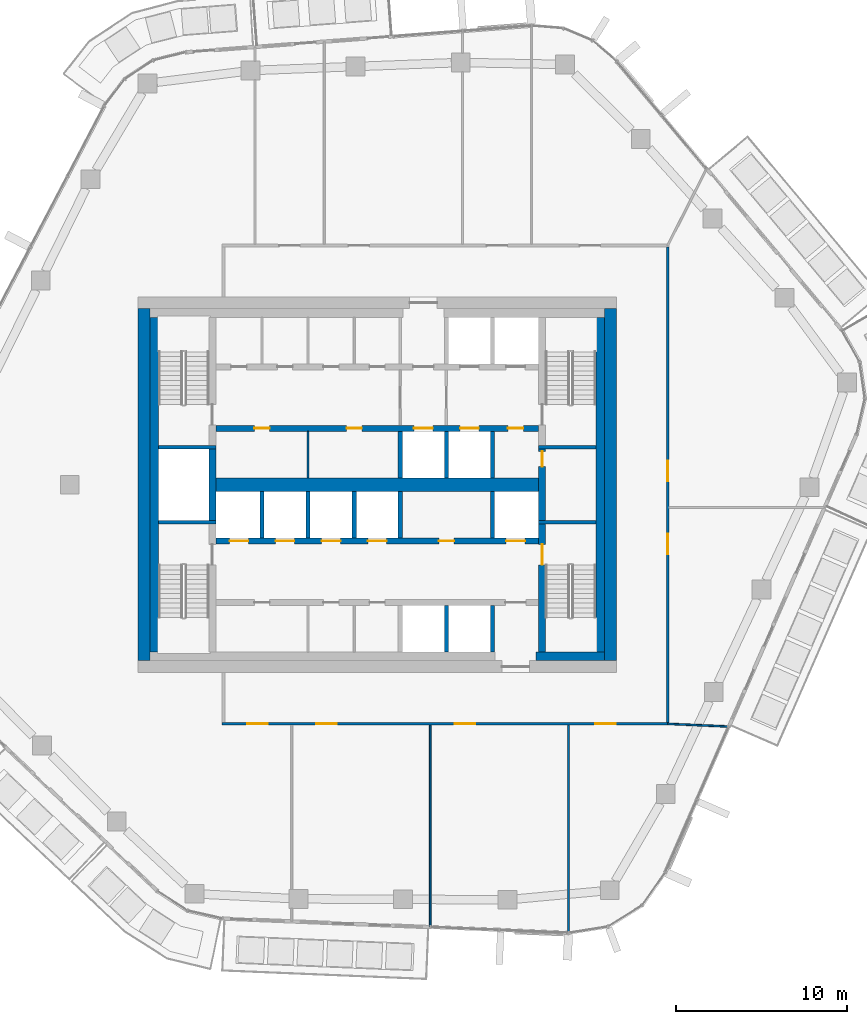
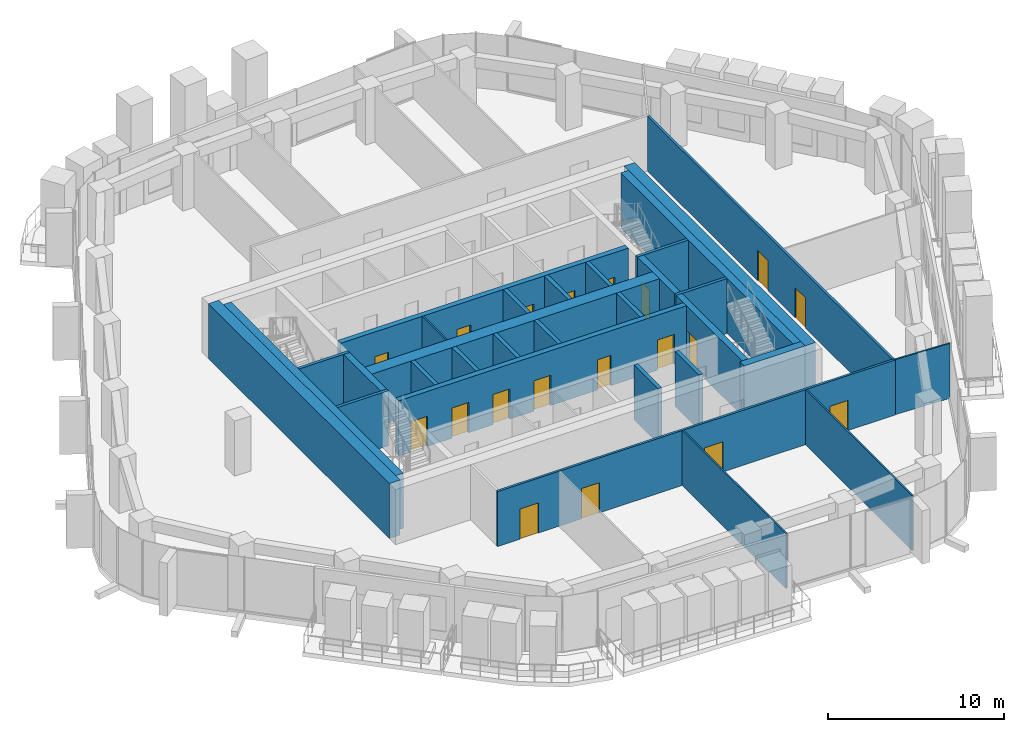
# One storey, part 11 of 20: 31 walls, 19 doors, 19 openings.
"""IFC4 building model written with IfcOpenShell, lengths in metres."""

from ifc_helpers import new_model, si_unit, direction, frame, frame_2d, origin, place, context, subcontext, project, spatial, rectangle, extrude, material, layer, layer_set, type_object, element, fill, save


model = new_model("IFC4")

# Units and contexts
model_context = context("Model", 3, precision=1e-05, world=origin(), true_north=direction((0.0, 1.0)))
body_context = subcontext(model_context, "Body", "Model", "MODEL_VIEW")
ifc_project = project(units=[si_unit("LENGTHUNIT", "METRE"), si_unit("AREAUNIT", "SQUARE_METRE"), si_unit("VOLUMEUNIT", "CUBIC_METRE"), si_unit("PLANEANGLEUNIT", "RADIAN"), si_unit("MASSUNIT", "GRAM", prefix="KILO")], contexts=[model_context])

# Site, building, storey
site_placement = place(None, origin())
site = spatial("IfcSite", under=ifc_project, at=site_placement, CompositionType="ELEMENT")
building_placement = place(site_placement, origin())
building = spatial("IfcBuilding", under=site, at=building_placement, Name="Dongbaek Canopy Tower", CompositionType="ELEMENT")
storey_placement = place(building_placement, frame((0.0, 0.0, 249.60009765625)))
storey = spatial("IfcBuildingStorey", under=building, at=storey_placement, Name="L52", CompositionType="ELEMENT", Elevation=249.60009765625)

# Wall
ifc_material_1 = material(Name="Concrete C60/75", Category="concrete")
ifc_layer_1 = layer(ifc_material_1, 0.800048828125)
ifc_layer_set_1 = layer_set([ifc_layer_1], Name="Core central wall 800 Concrete C60/75")
wall_type_1 = type_object("IfcWallType", Name="Core central wall 800 Concrete C60/75", PredefinedType="SHEAR", material=ifc_layer_set_1)
wall_1_placement = place(storey_placement, frame((-9.449951171875, 0.0, 0.0), z_axis=(0.0, 0.0, 1.0), x_axis=(1.0, 0.0, 0.0)))
element("IfcWall", 1, at=wall_1_placement, inside=storey, type_object=wall_type_1, Name="Core wall", PredefinedType="SHEAR", context=body_context, shape_type="SweptSolid", body=[
    extrude(rectangle(XDim=18.89990234375, YDim=0.800048828125, at=frame_2d((9.449951171875, 0.0))), origin(), (0.0, 0.0, 1.0), 3.81982421875),
])

# Wall, openings, doors
ifc_material_2 = material(Name="Concrete C60/75", Category="concrete")
ifc_layer_2 = layer(ifc_material_2, 0.35009765625)
ifc_layer_set_2 = layer_set([ifc_layer_2], Name="Core lobby wall 350 Concrete C60/75")
wall_type_2 = type_object("IfcWallType", Name="Core lobby wall 350 Concrete C60/75", PredefinedType="SHEAR", material=ifc_layer_set_2)
wall_2_placement = place(storey_placement, frame((9.449951171875, 3.300048828125, 0.0), z_axis=(0.0, 0.0, 1.0), x_axis=(-1.0, 0.0, 0.0)))
wall_2 = element("IfcWall", 2, at=wall_2_placement, inside=storey, type_object=wall_type_2, Name="Core wall", PredefinedType="SHEAR", context=body_context, shape_type="SweptSolid", body=[
    extrude(rectangle(XDim=18.89990234375, YDim=0.35009765625, at=frame_2d((9.449951171875, 0.0))), origin(), (0.0, 0.0, 1.0), 3.81982421875),
])
opening_1_placement = place(wall_2_placement, frame((6.199951171875, 0.0, 0.0)))
opening_1 = element("IfcOpeningElement", 3, at=opening_1_placement, cuts=wall_2, Name="Opening L52-D016", PredefinedType="OPENING", context=body_context, shape_type="SweptSolid", body=[
    extrude(rectangle(XDim=1.10009765625, YDim=2.10009765625, at=frame_2d((0.550048828125, 1.050048828125))), frame((0.0, 0.18505859375, 0.0), z_axis=(0.0, -1.0, 0.0), x_axis=(1.0, 0.0, 0.0)), (0.0, 0.0, 1.0), 0.3701171875),
])
opening_2_placement = place(wall_2_placement, frame((3.5, 0.0, 0.0)))
opening_2 = element("IfcOpeningElement", 4, at=opening_2_placement, cuts=wall_2, Name="Opening L52-D017", PredefinedType="OPENING", context=body_context, shape_type="SweptSolid", body=[
    extrude(rectangle(XDim=1.10009765625, YDim=2.10009765625, at=frame_2d((0.550048828125, 1.050048828125))), frame((0.0, 0.18505859375, 0.0), z_axis=(0.0, -1.0, 0.0), x_axis=(1.0, 0.0, 0.0)), (0.0, 0.0, 1.0), 0.3701171875),
])
opening_3_placement = place(wall_2_placement, frame((0.89990234375, 0.0, 0.0)))
opening_3 = element("IfcOpeningElement", 5, at=opening_3_placement, cuts=wall_2, Name="Opening L52-D018", PredefinedType="OPENING", context=body_context, shape_type="SweptSolid", body=[
    extrude(rectangle(XDim=0.89990234375, YDim=2.10009765625, at=frame_2d((0.449951171875, 1.050048828125))), frame((0.0, 0.18505859375, 0.0), z_axis=(0.0, -1.0, 0.0), x_axis=(1.0, 0.0, 0.0)), (0.0, 0.0, 1.0), 0.3701171875),
])
opening_4_placement = place(wall_2_placement, frame((15.75, 0.0, 0.0)))
opening_4 = element("IfcOpeningElement", 6, at=opening_4_placement, cuts=wall_2, Name="Opening L52-D030", PredefinedType="OPENING", context=body_context, shape_type="SweptSolid", body=[
    extrude(rectangle(XDim=0.89990234375, YDim=2.10009765625, at=frame_2d((0.449951171875, 1.050048828125))), frame((0.0, 0.18505859375, 0.0), z_axis=(0.0, -1.0, 0.0), x_axis=(1.0, 0.0, 0.0)), (0.0, 0.0, 1.0), 0.3701171875),
])
opening_5_placement = place(wall_2_placement, frame((10.35009765625, 0.0, 0.0)))
opening_5 = element("IfcOpeningElement", 7, at=opening_5_placement, cuts=wall_2, Name="Opening L52-D031", PredefinedType="OPENING", context=body_context, shape_type="SweptSolid", body=[
    extrude(rectangle(XDim=0.89990234375, YDim=2.10009765625, at=frame_2d((0.449951171875, 1.050048828125))), frame((0.0, 0.18505859375, 0.0), z_axis=(0.0, -1.0, 0.0), x_axis=(1.0, 0.0, 0.0)), (0.0, 0.0, 1.0), 0.3701171875),
])
ifc_material_3 = material(Name="Steel", Category="steel")
door_type_1 = type_object("IfcDoorType", Name="Core room door 900 x 2100", OperationType="SINGLE_SWING_LEFT", PredefinedType="DOOR", material=ifc_material_3)
door_1_placement = place(opening_3_placement, origin())
door_1 = element("IfcDoor", 8, at=door_1_placement, inside=storey, type_object=door_type_1, Name="Door L52-D018", OperationType="SINGLE_SWING_LEFT", OverallHeight=2.10009765625, OverallWidth=0.89990234375, PredefinedType="DOOR", context=body_context, shape_type="SweptSolid", body=[
    extrude(rectangle(XDim=0.89990234375, YDim=2.10009765625, at=frame_2d((0.449951171875, 1.050048828125))), frame((0.0, 0.02490234375, 0.0), z_axis=(0.0, -1.0, 0.0), x_axis=(1.0, 0.0, 0.0)), (0.0, 0.0, 1.0), 0.050048828125),
])
fill(opening_3, door_1)
door_2_placement = place(opening_4_placement, origin())
door_2 = element("IfcDoor", 9, at=door_2_placement, inside=storey, type_object=door_type_1, Name="Door L52-D030", OperationType="SINGLE_SWING_RIGHT", OverallHeight=2.10009765625, OverallWidth=0.89990234375, PredefinedType="DOOR", context=body_context, shape_type="SweptSolid", body=[
    extrude(rectangle(XDim=0.89990234375, YDim=2.10009765625, at=frame_2d((0.449951171875, 1.050048828125))), frame((0.0, 0.02490234375, 0.0), z_axis=(0.0, -1.0, 0.0), x_axis=(1.0, 0.0, 0.0)), (0.0, 0.0, 1.0), 0.050048828125),
])
fill(opening_4, door_2)
door_3_placement = place(opening_5_placement, origin())
door_3 = element("IfcDoor", 10, at=door_3_placement, inside=storey, type_object=door_type_1, Name="Door L52-D031", OperationType="SINGLE_SWING_LEFT", OverallHeight=2.10009765625, OverallWidth=0.89990234375, PredefinedType="DOOR", context=body_context, shape_type="SweptSolid", body=[
    extrude(rectangle(XDim=0.89990234375, YDim=2.10009765625, at=frame_2d((0.449951171875, 1.050048828125))), frame((0.0, 0.02490234375, 0.0), z_axis=(0.0, -1.0, 0.0), x_axis=(1.0, 0.0, 0.0)), (0.0, 0.0, 1.0), 0.050048828125),
])
fill(opening_5, door_3)
ifc_material_4 = material(Name="Stainless steel", Category="steel")
door_type_2 = type_object("IfcDoorType", Name="Lift landing door 1100 x 2100", OperationType="DOUBLE_DOOR_SLIDING", PredefinedType="DOOR", material=ifc_material_4)
door_4_placement = place(opening_1_placement, origin())
door_4 = element("IfcDoor", 11, at=door_4_placement, inside=storey, type_object=door_type_2, Name="Landing door SV1", OperationType="DOUBLE_DOOR_SLIDING", OverallHeight=2.10009765625, OverallWidth=1.10009765625, PredefinedType="DOOR", context=body_context, shape_type="SweptSolid", body=[
    extrude(rectangle(XDim=1.10009765625, YDim=2.10009765625, at=frame_2d((0.550048828125, 1.050048828125))), frame((0.0, 0.02490234375, 0.0), z_axis=(0.0, -1.0, 0.0), x_axis=(1.0, 0.0, 0.0)), (0.0, 0.0, 1.0), 0.050048828125),
])
fill(opening_1, door_4)
door_5_placement = place(opening_2_placement, origin())
door_5 = element("IfcDoor", 12, at=door_5_placement, inside=storey, type_object=door_type_2, Name="Landing door FF3", OperationType="DOUBLE_DOOR_SLIDING", OverallHeight=2.10009765625, OverallWidth=1.10009765625, PredefinedType="DOOR", context=body_context, shape_type="SweptSolid", body=[
    extrude(rectangle(XDim=1.10009765625, YDim=2.10009765625, at=frame_2d((0.550048828125, 1.050048828125))), frame((0.0, 0.02490234375, 0.0), z_axis=(0.0, -1.0, 0.0), x_axis=(1.0, 0.0, 0.0)), (0.0, 0.0, 1.0), 0.050048828125),
])
fill(opening_2, door_5)

wall_3_placement = place(storey_placement, frame((-9.449951171875, -3.300048828125, 0.0), z_axis=(0.0, 0.0, 1.0), x_axis=(1.0, 0.0, 0.0)))
wall_3 = element("IfcWall", 13, at=wall_3_placement, inside=storey, type_object=wall_type_2, Name="Core wall", PredefinedType="SHEAR", context=body_context, shape_type="SweptSolid", body=[
    extrude(rectangle(XDim=18.89990234375, YDim=0.35009765625, at=frame_2d((9.449951171875, 0.0))), origin(), (0.0, 0.0, 1.0), 3.81982421875),
])
opening_6_placement = place(wall_3_placement, frame((0.800048828125, 0.0, 0.0)))
opening_6 = element("IfcOpeningElement", 14, at=opening_6_placement, cuts=wall_3, Name="Opening L52-D019", PredefinedType="OPENING", context=body_context, shape_type="SweptSolid", body=[
    extrude(rectangle(XDim=1.10009765625, YDim=2.10009765625, at=frame_2d((0.550048828125, 1.050048828125))), frame((0.0, 0.18505859375, 0.0), z_axis=(0.0, -1.0, 0.0), x_axis=(1.0, 0.0, 0.0)), (0.0, 0.0, 1.0), 0.3701171875),
])
opening_7_placement = place(wall_3_placement, frame((3.5, 0.0, 0.0)))
opening_7 = element("IfcOpeningElement", 15, at=opening_7_placement, cuts=wall_3, Name="Opening L52-D020", PredefinedType="OPENING", context=body_context, shape_type="SweptSolid", body=[
    extrude(rectangle(XDim=1.10009765625, YDim=2.10009765625, at=frame_2d((0.550048828125, 1.050048828125))), frame((0.0, 0.18505859375, 0.0), z_axis=(0.0, -1.0, 0.0), x_axis=(1.0, 0.0, 0.0)), (0.0, 0.0, 1.0), 0.3701171875),
])
opening_8_placement = place(wall_3_placement, frame((6.199951171875, 0.0, 0.0)))
opening_8 = element("IfcOpeningElement", 16, at=opening_8_placement, cuts=wall_3, Name="Opening L52-D021", PredefinedType="OPENING", context=body_context, shape_type="SweptSolid", body=[
    extrude(rectangle(XDim=1.10009765625, YDim=2.10009765625, at=frame_2d((0.550048828125, 1.050048828125))), frame((0.0, 0.18505859375, 0.0), z_axis=(0.0, -1.0, 0.0), x_axis=(1.0, 0.0, 0.0)), (0.0, 0.0, 1.0), 0.3701171875),
])
opening_9_placement = place(wall_3_placement, frame((8.89990234375, 0.0, 0.0)))
opening_9 = element("IfcOpeningElement", 17, at=opening_9_placement, cuts=wall_3, Name="Opening L52-D022", PredefinedType="OPENING", context=body_context, shape_type="SweptSolid", body=[
    extrude(rectangle(XDim=1.10009765625, YDim=2.10009765625, at=frame_2d((0.550048828125, 1.050048828125))), frame((0.0, 0.18505859375, 0.0), z_axis=(0.0, -1.0, 0.0), x_axis=(1.0, 0.0, 0.0)), (0.0, 0.0, 1.0), 0.3701171875),
])
opening_10_placement = place(wall_3_placement, frame((17.0, 0.0, 0.0)))
opening_10 = element("IfcOpeningElement", 18, at=opening_10_placement, cuts=wall_3, Name="Opening L52-D023", PredefinedType="OPENING", context=body_context, shape_type="SweptSolid", body=[
    extrude(rectangle(XDim=1.10009765625, YDim=2.10009765625, at=frame_2d((0.550048828125, 1.050048828125))), frame((0.0, 0.18505859375, 0.0), z_axis=(0.0, -1.0, 0.0), x_axis=(1.0, 0.0, 0.0)), (0.0, 0.0, 1.0), 0.3701171875),
])
opening_11_placement = place(wall_3_placement, frame((13.050048828125, 0.0, 0.0)))
opening_11 = element("IfcOpeningElement", 19, at=opening_11_placement, cuts=wall_3, Name="Opening L52-D032", PredefinedType="OPENING", context=body_context, shape_type="SweptSolid", body=[
    extrude(rectangle(XDim=0.89990234375, YDim=2.10009765625, at=frame_2d((0.449951171875, 1.050048828125))), frame((0.0, 0.18505859375, 0.0), z_axis=(0.0, -1.0, 0.0), x_axis=(1.0, 0.0, 0.0)), (0.0, 0.0, 1.0), 0.3701171875),
])
door_6_placement = place(opening_11_placement, origin())
door_6 = element("IfcDoor", 20, at=door_6_placement, inside=storey, type_object=door_type_1, Name="Door L52-D032", OperationType="SINGLE_SWING_RIGHT", OverallHeight=2.10009765625, OverallWidth=0.89990234375, PredefinedType="DOOR", context=body_context, shape_type="SweptSolid", body=[
    extrude(rectangle(XDim=0.89990234375, YDim=2.10009765625, at=frame_2d((0.449951171875, 1.050048828125))), frame((0.0, 0.02490234375, 0.0), z_axis=(0.0, -1.0, 0.0), x_axis=(1.0, 0.0, 0.0)), (0.0, 0.0, 1.0), 0.050048828125),
])
fill(opening_11, door_6)
door_7_placement = place(opening_6_placement, origin())
door_7 = element("IfcDoor", 21, at=door_7_placement, inside=storey, type_object=door_type_2, Name="Landing door MR1", OperationType="DOUBLE_DOOR_SLIDING", OverallHeight=2.10009765625, OverallWidth=1.10009765625, PredefinedType="DOOR", context=body_context, shape_type="SweptSolid", body=[
    extrude(rectangle(XDim=1.10009765625, YDim=2.10009765625, at=frame_2d((0.550048828125, 1.050048828125))), frame((0.0, 0.02490234375, 0.0), z_axis=(0.0, -1.0, 0.0), x_axis=(1.0, 0.0, 0.0)), (0.0, 0.0, 1.0), 0.050048828125),
])
fill(opening_6, door_7)
door_8_placement = place(opening_7_placement, origin())
door_8 = element("IfcDoor", 22, at=door_8_placement, inside=storey, type_object=door_type_2, Name="Landing door MR2", OperationType="DOUBLE_DOOR_SLIDING", OverallHeight=2.10009765625, OverallWidth=1.10009765625, PredefinedType="DOOR", context=body_context, shape_type="SweptSolid", body=[
    extrude(rectangle(XDim=1.10009765625, YDim=2.10009765625, at=frame_2d((0.550048828125, 1.050048828125))), frame((0.0, 0.02490234375, 0.0), z_axis=(0.0, -1.0, 0.0), x_axis=(1.0, 0.0, 0.0)), (0.0, 0.0, 1.0), 0.050048828125),
])
fill(opening_7, door_8)
door_9_placement = place(opening_8_placement, origin())
door_9 = element("IfcDoor", 23, at=door_9_placement, inside=storey, type_object=door_type_2, Name="Landing door MR3", OperationType="DOUBLE_DOOR_SLIDING", OverallHeight=2.10009765625, OverallWidth=1.10009765625, PredefinedType="DOOR", context=body_context, shape_type="SweptSolid", body=[
    extrude(rectangle(XDim=1.10009765625, YDim=2.10009765625, at=frame_2d((0.550048828125, 1.050048828125))), frame((0.0, 0.02490234375, 0.0), z_axis=(0.0, -1.0, 0.0), x_axis=(1.0, 0.0, 0.0)), (0.0, 0.0, 1.0), 0.050048828125),
])
fill(opening_8, door_9)
door_10_placement = place(opening_9_placement, origin())
door_10 = element("IfcDoor", 24, at=door_10_placement, inside=storey, type_object=door_type_2, Name="Landing door MR4", OperationType="DOUBLE_DOOR_SLIDING", OverallHeight=2.10009765625, OverallWidth=1.10009765625, PredefinedType="DOOR", context=body_context, shape_type="SweptSolid", body=[
    extrude(rectangle(XDim=1.10009765625, YDim=2.10009765625, at=frame_2d((0.550048828125, 1.050048828125))), frame((0.0, 0.02490234375, 0.0), z_axis=(0.0, -1.0, 0.0), x_axis=(1.0, 0.0, 0.0)), (0.0, 0.0, 1.0), 0.050048828125),
])
fill(opening_9, door_10)
door_11_placement = place(opening_10_placement, origin())
door_11 = element("IfcDoor", 25, at=door_11_placement, inside=storey, type_object=door_type_2, Name="Landing door SV2", OperationType="DOUBLE_DOOR_SLIDING", OverallHeight=2.10009765625, OverallWidth=1.10009765625, PredefinedType="DOOR", context=body_context, shape_type="SweptSolid", body=[
    extrude(rectangle(XDim=1.10009765625, YDim=2.10009765625, at=frame_2d((0.550048828125, 1.050048828125))), frame((0.0, 0.02490234375, 0.0), z_axis=(0.0, -1.0, 0.0), x_axis=(1.0, 0.0, 0.0)), (0.0, 0.0, 1.0), 0.050048828125),
])
fill(opening_10, door_11)

# Walls
ifc_material_5 = material(Name="Concrete C70/85", Category="concrete")
ifc_layer_3 = layer(ifc_material_5, 0.699951171875)
ifc_layer_set_3 = layer_set([ifc_layer_3], Name="Core outer wall 700 Concrete C70/85")
wall_type_3 = type_object("IfcWallType", Name="Core outer wall 700 Concrete C70/85", PredefinedType="SHEAR", material=ifc_layer_set_3)
for number, where, z_axis, x_axis, name in (
    (26, (13.64990234375, 10.300048828125, 0.0), (0.0, 0.0, 1.0), (0.0, -1.0, 0.0), "Core wall"),
    (27, (-13.64990234375, -10.300048828125, 0.0), (0.0, 0.0, 1.0), (0.0, 1.0, 0.0), "Core wall"),
):
    element("IfcWall", number, at=place(storey_placement, frame(where, z_axis=z_axis, x_axis=x_axis)), inside=storey, type_object=wall_type_3, Name=name, PredefinedType="SHEAR", context=body_context, shape_type="SweptSolid", body=[
        extrude(rectangle(XDim=20.60009765625, YDim=0.699951171875, at=frame_2d((10.300048828125, 0.0))), origin(), (0.0, 0.0, 1.0), 3.81982421875),
    ])
ifc_material_6 = material(Name="Concrete C60/75", Category="concrete")
ifc_layer_4 = layer(ifc_material_6, 0.5)
ifc_layer_set_4 = layer_set([ifc_layer_4], Name="Core wall lining 500 Concrete C60/75")
wall_type_4 = type_object("IfcWallType", Name="Core wall lining 500 Concrete C60/75", PredefinedType="SHEAR", material=ifc_layer_set_4)
wall_4_placement = place(storey_placement, frame((13.300048828125, -10.050048828125, 0.0), z_axis=(0.0, 0.0, 1.0), x_axis=(-1.0, 0.0, 0.0)))
element("IfcWall", 28, at=wall_4_placement, inside=storey, type_object=wall_type_4, Name="Core wall lining", PredefinedType="SHEAR", context=body_context, shape_type="SweptSolid", body=[
    extrude(rectangle(XDim=4.0, YDim=0.5, at=frame_2d((2.0, 0.0))), origin(), (0.0, 0.0, 1.0), 3.81982421875),
])
for number, where, z_axis, x_axis, name in (
    (29, (13.050048828125, 9.800048828125, 0.0), (0.0, 0.0, 1.0), (0.0, -1.0, 0.0), "Core wall lining"),
    (30, (-13.050048828125, -9.800048828125, 0.0), (0.0, 0.0, 1.0), (0.0, 1.0, 0.0), "Core wall lining"),
):
    element("IfcWall", number, at=place(storey_placement, frame(where, z_axis=z_axis, x_axis=x_axis)), inside=storey, type_object=wall_type_4, Name=name, PredefinedType="SHEAR", context=body_context, shape_type="SweptSolid", body=[
        extrude(rectangle(XDim=19.60009765625, YDim=0.5, at=frame_2d((9.800048828125, 0.0))), origin(), (0.0, 0.0, 1.0), 3.81982421875),
    ])

# Wall, openings, doors
ifc_material_7 = material(Name="Gypsum board partition, steel stud, 2 x 15 mm fire board", Category="steel")
ifc_layer_5 = layer(ifc_material_7, 0.14990234375)
ifc_layer_set_5 = layer_set([ifc_layer_5], Name="Fire-rated partition 150 gypsum board")
wall_type_5 = type_object("IfcWallType", Name="Fire-rated partition 150 gypsum board", PredefinedType="PARTITIONING", material=ifc_layer_set_5)
wall_5_placement = place(storey_placement, frame((17.074951171875, -14.0, 0.0), z_axis=(0.0, 0.0, 1.0), x_axis=(-1.0, 0.0, 0.0)))
wall_5 = element("IfcWall", 31, at=wall_5_placement, inside=storey, type_object=wall_type_5, Name="Corridor partition", PredefinedType="PARTITIONING", context=body_context, shape_type="SweptSolid", body=[
    extrude(rectangle(XDim=26.14990234375, YDim=0.14990234375, at=frame_2d((13.074951171875, 0.0))), origin(), (0.0, 0.0, 1.0), 3.81982421875),
])
opening_12_placement = place(wall_5_placement, frame((23.476318359375, 0.0, 0.0)))
opening_12 = element("IfcOpeningElement", 32, at=opening_12_placement, cuts=wall_5, Name="Opening L52-D001", PredefinedType="OPENING", context=body_context, shape_type="SweptSolid", body=[
    extrude(rectangle(XDim=1.199951171875, YDim=2.10009765625, at=frame_2d((0.60009765625, 1.050048828125))), frame((0.0, 0.0849609375, 0.0), z_axis=(0.0, -1.0, 0.0), x_axis=(1.0, 0.0, 0.0)), (0.0, 0.0, 1.0), 0.169921875),
])
opening_13_placement = place(wall_5_placement, frame((19.452392578125, 0.0, 0.0)))
opening_13 = element("IfcOpeningElement", 33, at=opening_13_placement, cuts=wall_5, Name="Opening L52-D002", PredefinedType="OPENING", context=body_context, shape_type="SweptSolid", body=[
    extrude(rectangle(XDim=1.199951171875, YDim=2.10009765625, at=frame_2d((0.60009765625, 1.050048828125))), frame((0.0, 0.0849609375, 0.0), z_axis=(0.0, -1.0, 0.0), x_axis=(1.0, 0.0, 0.0)), (0.0, 0.0, 1.0), 0.169921875),
])
opening_14_placement = place(wall_5_placement, frame((11.3505859375, 0.0, 0.0)))
opening_14 = element("IfcOpeningElement", 34, at=opening_14_placement, cuts=wall_5, Name="Opening L52-D003", PredefinedType="OPENING", context=body_context, shape_type="SweptSolid", body=[
    extrude(rectangle(XDim=1.199951171875, YDim=2.10009765625, at=frame_2d((0.60009765625, 1.050048828125))), frame((0.0, 0.0849609375, 0.0), z_axis=(0.0, -1.0, 0.0), x_axis=(1.0, 0.0, 0.0)), (0.0, 0.0, 1.0), 0.169921875),
])
opening_15_placement = place(wall_5_placement, frame((3.12451171875, 0.0, 0.0)))
opening_15 = element("IfcOpeningElement", 35, at=opening_15_placement, cuts=wall_5, Name="Opening L52-D004", PredefinedType="OPENING", context=body_context, shape_type="SweptSolid", body=[
    extrude(rectangle(XDim=1.199951171875, YDim=2.10009765625, at=frame_2d((0.60009765625, 1.050048828125))), frame((0.0, 0.0849609375, 0.0), z_axis=(0.0, -1.0, 0.0), x_axis=(1.0, 0.0, 0.0)), (0.0, 0.0, 1.0), 0.169921875),
])
ifc_material_8 = material(Name="Timber veneered door leaf", Category="wood")
door_type_3 = type_object("IfcDoorType", Name="Room door 1200 x 2100", OperationType="SINGLE_SWING_LEFT", PredefinedType="DOOR", material=ifc_material_8)
door_12_placement = place(opening_12_placement, origin())
door_12 = element("IfcDoor", 36, at=door_12_placement, inside=storey, type_object=door_type_3, Name="Door L52-D001", OperationType="SINGLE_SWING_RIGHT", OverallHeight=2.10009765625, OverallWidth=1.199951171875, PredefinedType="DOOR", context=body_context, shape_type="SweptSolid", body=[
    extrude(rectangle(XDim=1.199951171875, YDim=2.10009765625, at=frame_2d((0.60009765625, 1.050048828125))), frame((0.0, 0.02490234375, 0.0), z_axis=(0.0, -1.0, 0.0), x_axis=(1.0, 0.0, 0.0)), (0.0, 0.0, 1.0), 0.050048828125),
])
fill(opening_12, door_12)
door_13_placement = place(opening_13_placement, origin())
door_13 = element("IfcDoor", 37, at=door_13_placement, inside=storey, type_object=door_type_3, Name="Door L52-D002", OperationType="SINGLE_SWING_LEFT", OverallHeight=2.10009765625, OverallWidth=1.199951171875, PredefinedType="DOOR", context=body_context, shape_type="SweptSolid", body=[
    extrude(rectangle(XDim=1.199951171875, YDim=2.10009765625, at=frame_2d((0.60009765625, 1.050048828125))), frame((0.0, 0.02490234375, 0.0), z_axis=(0.0, -1.0, 0.0), x_axis=(1.0, 0.0, 0.0)), (0.0, 0.0, 1.0), 0.050048828125),
])
fill(opening_13, door_13)
door_14_placement = place(opening_14_placement, origin())
door_14 = element("IfcDoor", 38, at=door_14_placement, inside=storey, type_object=door_type_3, Name="Door L52-D003", OperationType="SINGLE_SWING_RIGHT", OverallHeight=2.10009765625, OverallWidth=1.199951171875, PredefinedType="DOOR", context=body_context, shape_type="SweptSolid", body=[
    extrude(rectangle(XDim=1.199951171875, YDim=2.10009765625, at=frame_2d((0.60009765625, 1.050048828125))), frame((0.0, 0.02490234375, 0.0), z_axis=(0.0, -1.0, 0.0), x_axis=(1.0, 0.0, 0.0)), (0.0, 0.0, 1.0), 0.050048828125),
])
fill(opening_14, door_14)
door_15_placement = place(opening_15_placement, origin())
door_15 = element("IfcDoor", 39, at=door_15_placement, inside=storey, type_object=door_type_3, Name="Door L52-D004", OperationType="SINGLE_SWING_LEFT", OverallHeight=2.10009765625, OverallWidth=1.199951171875, PredefinedType="DOOR", context=body_context, shape_type="SweptSolid", body=[
    extrude(rectangle(XDim=1.199951171875, YDim=2.10009765625, at=frame_2d((0.60009765625, 1.050048828125))), frame((0.0, 0.02490234375, 0.0), z_axis=(0.0, -1.0, 0.0), x_axis=(1.0, 0.0, 0.0)), (0.0, 0.0, 1.0), 0.050048828125),
])
fill(opening_15, door_15)

wall_6_placement = place(storey_placement, frame((17.0, 13.925048828125, 0.0), z_axis=(0.0, 0.0, 1.0), x_axis=(0.0, -1.0, 0.0)))
wall_6 = element("IfcWall", 40, at=wall_6_placement, inside=storey, type_object=wall_type_5, Name="Corridor partition", PredefinedType="PARTITIONING", context=body_context, shape_type="SweptSolid", body=[
    extrude(rectangle(XDim=27.85009765625, YDim=0.14990234375, at=frame_2d((13.925048828125, 0.0))), origin(), (0.0, 0.0, 1.0), 3.81982421875),
])
opening_16_placement = place(wall_6_placement, frame((16.8017578125, 0.0, 0.0)))
opening_16 = element("IfcOpeningElement", 41, at=opening_16_placement, cuts=wall_6, Name="Opening L52-D005", PredefinedType="OPENING", context=body_context, shape_type="SweptSolid", body=[
    extrude(rectangle(XDim=1.199951171875, YDim=2.10009765625, at=frame_2d((0.60009765625, 1.050048828125))), frame((0.0, 0.0849609375, 0.0), z_axis=(0.0, -1.0, 0.0), x_axis=(1.0, 0.0, 0.0)), (0.0, 0.0, 1.0), 0.169921875),
])
opening_17_placement = place(wall_6_placement, frame((12.53369140625, 0.0, 0.0)))
opening_17 = element("IfcOpeningElement", 42, at=opening_17_placement, cuts=wall_6, Name="Opening L52-D006", PredefinedType="OPENING", context=body_context, shape_type="SweptSolid", body=[
    extrude(rectangle(XDim=1.199951171875, YDim=2.10009765625, at=frame_2d((0.60009765625, 1.050048828125))), frame((0.0, 0.0849609375, 0.0), z_axis=(0.0, -1.0, 0.0), x_axis=(1.0, 0.0, 0.0)), (0.0, 0.0, 1.0), 0.169921875),
])
door_16_placement = place(opening_16_placement, origin())
door_16 = element("IfcDoor", 43, at=door_16_placement, inside=storey, type_object=door_type_3, Name="Door L52-D005", OperationType="SINGLE_SWING_RIGHT", OverallHeight=2.10009765625, OverallWidth=1.199951171875, PredefinedType="DOOR", context=body_context, shape_type="SweptSolid", body=[
    extrude(rectangle(XDim=1.199951171875, YDim=2.10009765625, at=frame_2d((0.60009765625, 1.050048828125))), frame((0.0, 0.02490234375, 0.0), z_axis=(0.0, -1.0, 0.0), x_axis=(1.0, 0.0, 0.0)), (0.0, 0.0, 1.0), 0.050048828125),
])
fill(opening_16, door_16)
door_17_placement = place(opening_17_placement, origin())
door_17 = element("IfcDoor", 44, at=door_17_placement, inside=storey, type_object=door_type_3, Name="Door L52-D006", OperationType="SINGLE_SWING_LEFT", OverallHeight=2.10009765625, OverallWidth=1.199951171875, PredefinedType="DOOR", context=body_context, shape_type="SweptSolid", body=[
    extrude(rectangle(XDim=1.199951171875, YDim=2.10009765625, at=frame_2d((0.60009765625, 1.050048828125))), frame((0.0, 0.02490234375, 0.0), z_axis=(0.0, -1.0, 0.0), x_axis=(1.0, 0.0, 0.0)), (0.0, 0.0, 1.0), 0.050048828125),
])
fill(opening_17, door_17)

# Walls
ifc_material_9 = material(Name="Concrete C40/50", Category="concrete")
ifc_layer_6 = layer(ifc_material_9, 0.25)
ifc_layer_set_6 = layer_set([ifc_layer_6], Name="Lift shaft wall 250 Concrete C40/50")
wall_type_6 = type_object("IfcWallType", Name="Lift shaft wall 250 Concrete C40/50", PredefinedType="SOLIDWALL", material=ifc_layer_set_6)
for number, where, z_axis, x_axis, name in (
    (45, (6.75, -9.800048828125, 0.0), (0.0, 0.0, 1.0), (0.0, 1.0, 0.0), "Lift shaft wall"),
    (46, (6.75, -3.125, 0.0), (0.0, 0.0, 1.0), (0.0, 1.0, 0.0), "Lift shaft wall"),
    (47, (6.75, 0.39990234375, 0.0), (0.0, 0.0, 1.0), (0.0, 1.0, 0.0), "Lift shaft wall"),
    (48, (4.050048828125, -9.800048828125, 0.0), (0.0, 0.0, 1.0), (0.0, 1.0, 0.0), "Lift shaft wall"),
    (49, (4.050048828125, 0.39990234375, 0.0), (0.0, 0.0, 1.0), (0.0, 1.0, 0.0), "Lift shaft wall"),
    (50, (1.35009765625, -3.125, 0.0), (0.0, 0.0, 1.0), (0.0, 1.0, 0.0), "Lift shaft wall"),
    (51, (1.35009765625, 0.39990234375, 0.0), (0.0, 0.0, 1.0), (0.0, 1.0, 0.0), "Lift shaft wall"),
    (52, (-1.35009765625, -3.125, 0.0), (0.0, 0.0, 1.0), (0.0, 1.0, 0.0), "Lift shaft wall"),
    (53, (-4.050048828125, -3.125, 0.0), (0.0, 0.0, 1.0), (0.0, 1.0, 0.0), "Lift shaft wall"),
    (54, (-6.75, -3.125, 0.0), (0.0, 0.0, 1.0), (0.0, 1.0, 0.0), "Lift shaft wall"),
):
    element("IfcWall", number, at=place(storey_placement, frame(where, z_axis=z_axis, x_axis=x_axis)), inside=storey, type_object=wall_type_6, Name=name, PredefinedType="SOLIDWALL", context=body_context, shape_type="SweptSolid", body=[
        extrude(rectangle(XDim=2.72509765625, YDim=0.25, at=frame_2d((1.362548828125, 0.0))), origin(), (0.0, 0.0, 1.0), 3.81982421875),
    ])
ifc_material_10 = material(Name="Gypsum board partition, steel stud, 2 x 12.5 mm board", Category="steel")
ifc_layer_7 = layer(ifc_material_10, 0.10009765625)
ifc_layer_set_7 = layer_set([ifc_layer_7], Name="Partition 100 gypsum board")
wall_type_7 = type_object("IfcWallType", Name="Partition 100 gypsum board", PredefinedType="PARTITIONING", material=ifc_layer_set_7)
wall_7_placement = place(storey_placement, frame((11.194091796875, -26.215087890625, 0.0), z_axis=(0.0, 0.0, 1.0), x_axis=(0.0, 1.0, 0.0)))
element("IfcWall", 55, at=wall_7_placement, inside=storey, type_object=wall_type_7, Name="Partition", PredefinedType="PARTITIONING", context=body_context, shape_type="SweptSolid", body=[
    extrude(rectangle(XDim=12.14013671875, YDim=0.10009765625, at=frame_2d((6.070068359375, 0.0))), origin(), (0.0, 0.0, 1.0), 3.81982421875),
])
wall_8_placement = place(storey_placement, frame((3.097900390625, -25.879150390625, 0.0), z_axis=(0.0, 0.0, 1.0), x_axis=(0.0, 1.0, 0.0)))
element("IfcWall", 56, at=wall_8_placement, inside=storey, type_object=wall_type_7, Name="Partition", PredefinedType="PARTITIONING", context=body_context, shape_type="SweptSolid", body=[
    extrude(rectangle(XDim=11.80419921875, YDim=0.10009765625, at=frame_2d((5.902099609375, 0.0))), origin(), (0.0, 0.0, 1.0), 3.81982421875),
])
wall_9_placement = place(storey_placement, frame((17.0, -14.0, 0.0), z_axis=(0.0, 0.0, 1.0), x_axis=(0.99903279054, -0.043971393272, 0.0)))
element("IfcWall", 57, at=wall_9_placement, inside=storey, type_object=wall_type_7, Name="Partition", PredefinedType="PARTITIONING", context=body_context, shape_type="SweptSolid", body=[
    extrude(rectangle(XDim=3.570068359375, YDim=0.10009765625, at=frame_2d((1.78515625, 0.0))), origin(), (0.0, 0.0, 1.0), 3.81982421875),
])
wall_10_placement = place(storey_placement, frame((-4.050048828125, 0.39990234375, 0.0), z_axis=(0.0, 0.0, 1.0), x_axis=(0.0, 1.0, 0.0)))
element("IfcWall", 58, at=wall_10_placement, inside=storey, type_object=wall_type_7, Name="Core partition", PredefinedType="PARTITIONING", context=body_context, shape_type="SweptSolid", body=[
    extrude(rectangle(XDim=2.72509765625, YDim=0.10009765625, at=frame_2d((1.362548828125, 0.0))), origin(), (0.0, 0.0, 1.0), 3.81982421875),
])
ifc_material_11 = material(Name="Concrete C60/75", Category="concrete")
ifc_layer_8 = layer(ifc_material_11, 0.199951171875)
ifc_layer_set_8 = layer_set([ifc_layer_8], Name="Riser wall 200 Concrete C60/75")
wall_type_8 = type_object("IfcWallType", Name="Riser wall 200 Concrete C60/75", PredefinedType="SHEAR", material=ifc_layer_set_8)
for number, where, z_axis, x_axis, name in (
    (59, (9.449951171875, 2.199951171875, 0.0), (0.0, 0.0, 1.0), (1.0, 0.0, 0.0), "Riser wall"),
    (60, (-9.449951171875, 2.199951171875, 0.0), (0.0, 0.0, 1.0), (-1.0, 0.0, 0.0), "Riser wall"),
    (61, (9.449951171875, -2.199951171875, 0.0), (0.0, 0.0, 1.0), (1.0, 0.0, 0.0), "Riser wall"),
    (62, (-9.449951171875, -2.199951171875, 0.0), (0.0, 0.0, 1.0), (-1.0, 0.0, 0.0), "Riser wall"),
):
    element("IfcWall", number, at=place(storey_placement, frame(where, z_axis=z_axis, x_axis=x_axis)), inside=storey, type_object=wall_type_8, Name=name, PredefinedType="SHEAR", context=body_context, shape_type="SweptSolid", body=[
        extrude(rectangle(XDim=3.35009765625, YDim=0.199951171875, at=frame_2d((1.675048828125, 0.0))), origin(), (0.0, 0.0, 1.0), 3.81982421875),
    ])

# Wall, opening, door
ifc_material_12 = material(Name="Concrete C60/75", Category="concrete")
ifc_layer_9 = layer(ifc_material_12, 0.39990234375)
ifc_layer_set_9 = layer_set([ifc_layer_9], Name="Stair wall 400 Concrete C60/75")
wall_type_9 = type_object("IfcWallType", Name="Stair wall 400 Concrete C60/75", PredefinedType="SHEAR", material=ifc_layer_set_9)
wall_11_placement = place(storey_placement, frame((9.64990234375, -2.300048828125, 0.0), z_axis=(0.0, 0.0, 1.0), x_axis=(0.0, -1.0, 0.0)))
wall_11 = element("IfcWall", 63, at=wall_11_placement, inside=storey, type_object=wall_type_9, Name="Stair wall", PredefinedType="SHEAR", context=body_context, shape_type="SweptSolid", body=[
    extrude(rectangle(XDim=7.5, YDim=0.39990234375, at=frame_2d((3.75, 0.0))), origin(), (0.0, 0.0, 1.0), 3.81982421875),
])
opening_18_placement = place(wall_11_placement, frame((1.199951171875, 0.0, 0.0)))
opening_18 = element("IfcOpeningElement", 64, at=opening_18_placement, cuts=wall_11, Name="Opening L52-D038", PredefinedType="OPENING", context=body_context, shape_type="SweptSolid", body=[
    extrude(rectangle(XDim=1.199951171875, YDim=2.10009765625, at=frame_2d((0.60009765625, 1.050048828125))), frame((0.0, 0.2099609375, 0.0), z_axis=(0.0, -1.0, 0.0), x_axis=(1.0, 0.0, 0.0)), (0.0, 0.0, 1.0), 0.419921875),
])
ifc_material_13 = material(Name="Steel", Category="steel")
door_type_4 = type_object("IfcDoorType", Name="Stair door 1200 x 2100", OperationType="SINGLE_SWING_LEFT", PredefinedType="DOOR", material=ifc_material_13)
door_18_placement = place(opening_18_placement, origin())
door_18 = element("IfcDoor", 65, at=door_18_placement, inside=storey, type_object=door_type_4, Name="Stair B door", OperationType="SINGLE_SWING_RIGHT", OverallHeight=2.10009765625, OverallWidth=1.199951171875, PredefinedType="DOOR", context=body_context, shape_type="SweptSolid", body=[
    extrude(rectangle(XDim=1.199951171875, YDim=2.10009765625, at=frame_2d((0.60009765625, 1.050048828125))), frame((0.0, 0.02490234375, 0.0), z_axis=(0.0, -1.0, 0.0), x_axis=(1.0, 0.0, 0.0)), (0.0, 0.0, 1.0), 0.050048828125),
])
fill(opening_18, door_18)

wall_12_placement = place(storey_placement, frame((9.64990234375, 2.10009765625, 0.0), z_axis=(0.0, 0.0, 1.0), x_axis=(0.0, -1.0, 0.0)))
wall_12 = element("IfcWall", 66, at=wall_12_placement, inside=storey, type_object=wall_type_9, Name="Stair wall", PredefinedType="SHEAR", context=body_context, shape_type="SweptSolid", body=[
    extrude(rectangle(XDim=4.2001953125, YDim=0.39990234375, at=frame_2d((2.10009765625, 0.0))), origin(), (0.0, 0.0, 1.0), 3.81982421875),
])
opening_19_placement = place(wall_12_placement, frame((0.14990234375, 0.0, 0.0)))
opening_19 = element("IfcOpeningElement", 67, at=opening_19_placement, cuts=wall_12, Name="Opening L52-D011", PredefinedType="OPENING", context=body_context, shape_type="SweptSolid", body=[
    extrude(rectangle(XDim=0.89990234375, YDim=2.10009765625, at=frame_2d((0.449951171875, 1.050048828125))), frame((0.0, 0.2099609375, 0.0), z_axis=(0.0, -1.0, 0.0), x_axis=(1.0, 0.0, 0.0)), (0.0, 0.0, 1.0), 0.419921875),
])
door_19_placement = place(opening_19_placement, origin())
door_19 = element("IfcDoor", 68, at=door_19_placement, inside=storey, type_object=door_type_1, Name="Door L52-D011", OperationType="SINGLE_SWING_RIGHT", OverallHeight=2.10009765625, OverallWidth=0.89990234375, PredefinedType="DOOR", context=body_context, shape_type="SweptSolid", body=[
    extrude(rectangle(XDim=0.89990234375, YDim=2.10009765625, at=frame_2d((0.449951171875, 1.050048828125))), frame((0.0, 0.02490234375, 0.0), z_axis=(0.0, -1.0, 0.0), x_axis=(1.0, 0.0, 0.0)), (0.0, 0.0, 1.0), 0.050048828125),
])
fill(opening_19, door_19)

# Wall
wall_13_placement = place(storey_placement, frame((-9.64990234375, -2.10009765625, 0.0), z_axis=(0.0, 0.0, 1.0), x_axis=(0.0, 1.0, 0.0)))
element("IfcWall", 69, at=wall_13_placement, inside=storey, type_object=wall_type_9, Name="Stair wall", PredefinedType="SHEAR", context=body_context, shape_type="SweptSolid", body=[
    extrude(rectangle(XDim=4.2001953125, YDim=0.39990234375, at=frame_2d((2.10009765625, 0.0))), origin(), (0.0, 0.0, 1.0), 3.81982421875),
])

save(model, "model.ifc")
